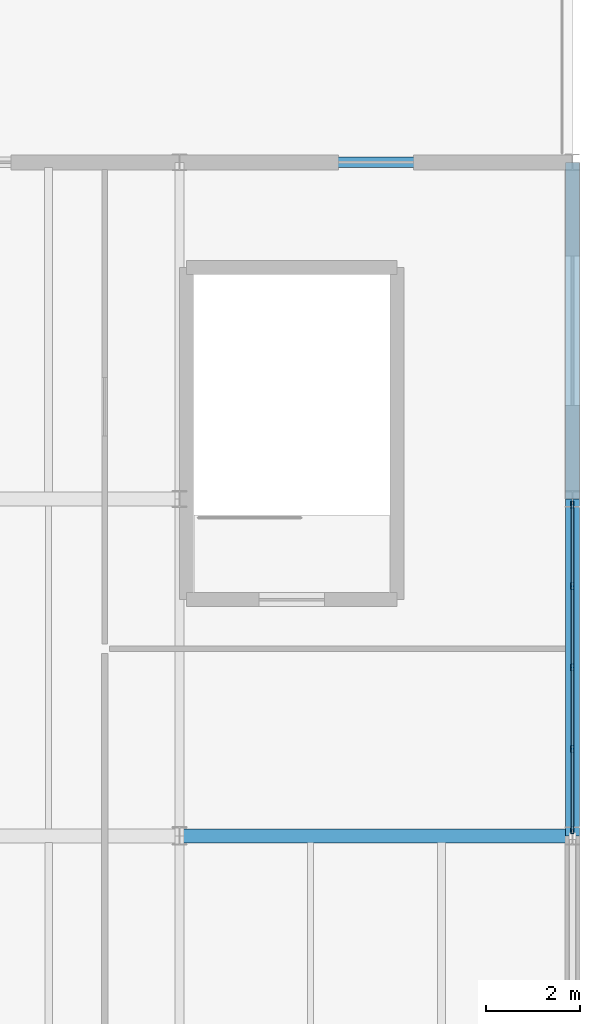
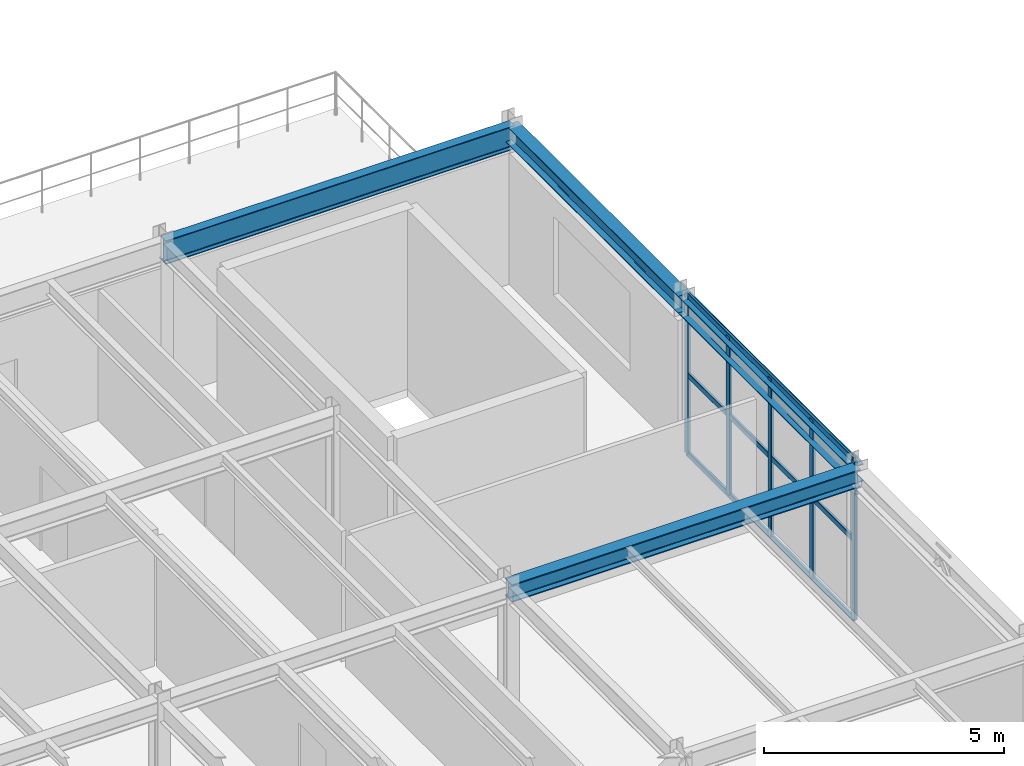
# One storey, part 91 of 134: 8 members, 4 beams, 1 element without a shape of its own.
"""IFC4 building model written with IfcOpenShell, lengths in metres."""

from ifc_helpers import new_model, si_unit, derived_unit, direction, frame, origin, origin_2d, place, context, subcontext, project, spatial, hollow_rectangle, i_section, extrude, material, material_profile, profile_set, type_object, element, aggregate, save


model = new_model("IFC4")

# Units and contexts
model_context = context("Model", 3, precision=1e-05, world=origin(), true_north=direction((0.0, 1.0)))
body_context = subcontext(model_context, "Body", "Model", "MODEL_VIEW")
ifc_project = project(units=[si_unit("LENGTHUNIT", "METRE"), si_unit("AREAUNIT", "SQUARE_METRE"), si_unit("VOLUMEUNIT", "CUBIC_METRE"), si_unit("PLANEANGLEUNIT", "RADIAN"), si_unit("MASSUNIT", "GRAM", prefix="KILO"), derived_unit("THERMALTRANSMITTANCEUNIT", [(si_unit("MASSUNIT", "GRAM", prefix="KILO"), 1), (si_unit("TIMEUNIT", "SECOND"), -3), (si_unit("THERMODYNAMICTEMPERATUREUNIT", "KELVIN"), -1)])], contexts=[model_context])

# Site, building, storey
site_placement = place(None, origin())
site = spatial("IfcSite", under=ifc_project, at=site_placement, CompositionType="ELEMENT")
building_placement = place(site_placement, origin())
building = spatial("IfcBuilding", under=site, at=building_placement, Name="Kharveza Railside Sports Centre", CompositionType="ELEMENT")
storey_placement = place(building_placement, frame((0.0, 0.0, 12.89990234375)))
storey = spatial("IfcBuildingStorey", under=building, at=storey_placement, Name="L03", CompositionType="ELEMENT", Elevation=12.89990234375)

# Beams
ifc_material_1 = material(Name="Steel S355J2", Category="steel")
ifc_material_profile_1 = material_profile(ifc_material_1, i_section(OverallWidth=0.219970703125, OverallDepth=0.60009765625, WebThickness=0.011962890625, FlangeThickness=0.01904296875, FilletRadius=0.02392578125, at=origin_2d()), Name="IPE 600")
ifc_profile_set_1 = profile_set([ifc_material_profile_1], Name="Steel S355J2")
beam_type_1 = type_object("IfcBeamType", Name="BM-G01", PredefinedType="T_BEAM", material=ifc_profile_set_1)
beam_1_placement = place(storey_placement, frame((159.60009765625, 86.39990234375, 3.66015625), z_axis=(1.0, 0.0, 0.0), x_axis=(0.0, 1.0, 0.0)))
element("IfcBeam", 1, at=beam_1_placement, inside=storey, type_object=beam_type_1, Name="BM-EW-L03-B01-X1596-Y864", PredefinedType="T_BEAM", context=body_context, shape_type="SweptSolid", body=[
    extrude(i_section(OverallWidth=0.219970703125, OverallDepth=0.60009765625, WebThickness=0.011962890625, FlangeThickness=0.01904296875, FilletRadius=0.02392578125, at=origin_2d()), origin(), (0.0, 0.0, 1.0), 8.39990234375),
])
ifc_material_profile_2 = material_profile(ifc_material_1, i_section(OverallWidth=0.300048828125, OverallDepth=0.449951171875, WebThickness=0.013916015625, FlangeThickness=0.02587890625, FilletRadius=0.027099609375, at=origin_2d()), Name="HEB 450")
ifc_profile_set_2 = profile_set([ifc_material_profile_2], Name="Steel S355J2")
beam_type_2 = type_object("IfcBeamType", Name="BM-G06", PredefinedType="T_BEAM", material=ifc_profile_set_2)
beam_2_placement = place(storey_placement, frame((159.60009765625, 72.0, 3.735107421875), z_axis=(1.0, 0.0, 0.0), x_axis=(0.0, 1.0, 0.0)))
element("IfcBeam", 2, at=beam_2_placement, inside=storey, type_object=beam_type_2, Name="BM-EW-L03-B06-X1596-Y720", PredefinedType="T_BEAM", context=body_context, shape_type="SweptSolid", body=[
    extrude(i_section(OverallWidth=0.300048828125, OverallDepth=0.449951171875, WebThickness=0.013916015625, FlangeThickness=0.02587890625, FilletRadius=0.027099609375, at=origin_2d()), origin(), (0.0, 0.0, 1.0), 8.39990234375),
])
ifc_material_profile_3 = material_profile(ifc_material_1, i_section(OverallWidth=0.300048828125, OverallDepth=0.43994140625, WebThickness=0.011474609375, FlangeThickness=0.02099609375, FilletRadius=0.027099609375, at=origin_2d()), Name="HEA 450")
ifc_profile_set_3 = profile_set([ifc_material_profile_3], Name="Steel S355J2")
beam_type_3 = type_object("IfcBeamType", Name="BM-SP01", PredefinedType="SPANDREL", material=ifc_profile_set_3)
for number, where, z_axis, x_axis, name in (
    (3, (168.0, 72.0, 3.739990234375), (0.0, 1.0, 0.0), (-1.0, 0.0, 0.0), "BM-NS-L03-B15-X1680-Y720"),
    (4, (168.0, 79.199951171875, 3.739990234375), (0.0, 1.0, 0.0), (-1.0, 0.0, 0.0), "BM-NS-L03-B15-X1680-Y792"),
):
    element("IfcBeam", number, at=place(storey_placement, frame(where, z_axis=z_axis, x_axis=x_axis)), inside=storey, type_object=beam_type_3, Name=name, PredefinedType="SPANDREL", context=body_context, shape_type="SweptSolid", body=[
        extrude(i_section(OverallWidth=0.300048828125, OverallDepth=0.43994140625, WebThickness=0.011474609375, FlangeThickness=0.02099609375, FilletRadius=0.027099609375, at=origin_2d()), origin(), (0.0, 0.0, 1.0), 7.199951171875),
    ])

# Curtain wall, members
ifc_material_2 = material(Name="Low-E solar-control laminated glass", Category="glass")
curtain_wall_type = type_object("IfcCurtainWallType", Name="CW-WG02", PredefinedType="NOTDEFINED", material=ifc_material_2)
curtain_wall_placement = place(storey_placement, origin())
curtain_wall = element("IfcCurtainWall", 5, at=curtain_wall_placement, inside=storey, type_object=curtain_wall_type, Name="CW-WG-L03-CW-WG02-X1680-Y756", PredefinedType="NOTDEFINED")
ifc_material_3 = material(Name="Anodised aluminium 6063-T6", Category="aluminium")
ifc_material_profile_4 = material_profile(ifc_material_3, hollow_rectangle(XDim=0.06494140625, YDim=0.14990234375, WallThickness=0.0048828125, InnerFilletRadius=0.0048828125, OuterFilletRadius=0.010009765625, at=origin_2d()), Name="RHS 65x150x5.0")
ifc_profile_set_4 = profile_set([ifc_material_profile_4], Name="Anodised aluminium 6063-T6")
member_type_1 = type_object("IfcMemberType", Name="CW-ML04", PredefinedType="MULLION", material=ifc_profile_set_4)
member_1_placement = place(storey_placement, frame((168.0, 72.1201171875, 0.0), z_axis=(0.0, 0.0, 1.0), x_axis=(1.0, 0.0, 0.0)))
member_1 = element("IfcMember", 6, at=member_1_placement, type_object=member_type_1, Name="CW-WG-L03-CW-WG02-X1680-Y756-ML1", PredefinedType="MULLION", context=body_context, shape_type="SweptSolid", body=[
    extrude(hollow_rectangle(XDim=0.06494140625, YDim=0.14990234375, WallThickness=0.0048828125, InnerFilletRadius=0.0048828125, OuterFilletRadius=0.010009765625, at=origin_2d()), origin(), (0.0, 0.0, 1.0), 4.03515625),
])
member_2_placement = place(storey_placement, frame((168.0, 73.860107421875, 0.0), z_axis=(0.0, 0.0, 1.0), x_axis=(1.0, 0.0, 0.0)))
member_2 = element("IfcMember", 7, at=member_2_placement, type_object=member_type_1, Name="CW-WG-L03-CW-WG02-X1680-Y756-ML2", PredefinedType="MULLION", context=body_context, shape_type="SweptSolid", body=[
    extrude(hollow_rectangle(XDim=0.06494140625, YDim=0.14990234375, WallThickness=0.0048828125, InnerFilletRadius=0.0048828125, OuterFilletRadius=0.010009765625, at=origin_2d()), origin(), (0.0, 0.0, 1.0), 4.03515625),
])
member_3_placement = place(storey_placement, frame((168.0, 75.60009765625, 0.0), z_axis=(0.0, 0.0, 1.0), x_axis=(1.0, 0.0, 0.0)))
member_3 = element("IfcMember", 8, at=member_3_placement, type_object=member_type_1, Name="CW-WG-L03-CW-WG02-X1680-Y756-ML3", PredefinedType="MULLION", context=body_context, shape_type="SweptSolid", body=[
    extrude(hollow_rectangle(XDim=0.06494140625, YDim=0.14990234375, WallThickness=0.0048828125, InnerFilletRadius=0.0048828125, OuterFilletRadius=0.010009765625, at=origin_2d()), origin(), (0.0, 0.0, 1.0), 4.03515625),
])
member_4_placement = place(storey_placement, frame((168.0, 77.340087890625, 0.0), z_axis=(0.0, 0.0, 1.0), x_axis=(1.0, 0.0, 0.0)))
member_4 = element("IfcMember", 9, at=member_4_placement, type_object=member_type_1, Name="CW-WG-L03-CW-WG02-X1680-Y756-ML4", PredefinedType="MULLION", context=body_context, shape_type="SweptSolid", body=[
    extrude(hollow_rectangle(XDim=0.06494140625, YDim=0.14990234375, WallThickness=0.0048828125, InnerFilletRadius=0.0048828125, OuterFilletRadius=0.010009765625, at=origin_2d()), origin(), (0.0, 0.0, 1.0), 4.03515625),
])
member_5_placement = place(storey_placement, frame((168.0, 79.080078125, 0.0), z_axis=(0.0, 0.0, 1.0), x_axis=(1.0, 0.0, 0.0)))
member_5 = element("IfcMember", 10, at=member_5_placement, type_object=member_type_1, Name="CW-WG-L03-CW-WG02-X1680-Y756-ML5", PredefinedType="MULLION", context=body_context, shape_type="SweptSolid", body=[
    extrude(hollow_rectangle(XDim=0.06494140625, YDim=0.14990234375, WallThickness=0.0048828125, InnerFilletRadius=0.0048828125, OuterFilletRadius=0.010009765625, at=origin_2d()), origin(), (0.0, 0.0, 1.0), 4.03515625),
])
ifc_material_profile_5 = material_profile(ifc_material_3, hollow_rectangle(XDim=0.06005859375, YDim=0.139892578125, WallThickness=0.0048828125, InnerFilletRadius=0.0048828125, OuterFilletRadius=0.010009765625, at=origin_2d()), Name="RHS 60x140x5.0")
ifc_profile_set_5 = profile_set([ifc_material_profile_5], Name="Anodised aluminium 6063-T6")
member_type_2 = type_object("IfcMemberType", Name="CW-TR04", PredefinedType="USERDEFINED", material=ifc_profile_set_5)
member_6_placement = place(storey_placement, frame((168.0, 72.1201171875, 0.0), z_axis=(0.0, 1.0, 0.0), x_axis=(-1.0, 0.0, 0.0)))
member_6 = element("IfcMember", 11, at=member_6_placement, type_object=member_type_2, Name="CW-WG-L03-CW-WG02-X1680-Y756-TR1", ObjectType="TRANSOM", PredefinedType="USERDEFINED", context=body_context, shape_type="SweptSolid", body=[
    extrude(hollow_rectangle(XDim=0.06005859375, YDim=0.139892578125, WallThickness=0.0048828125, InnerFilletRadius=0.0048828125, OuterFilletRadius=0.010009765625, at=origin_2d()), origin(), (0.0, 0.0, 1.0), 6.9599609375),
])
member_7_placement = place(storey_placement, frame((168.0, 72.1201171875, 2.017578125), z_axis=(0.0, 1.0, 0.0), x_axis=(-1.0, 0.0, 0.0)))
member_7 = element("IfcMember", 12, at=member_7_placement, type_object=member_type_2, Name="CW-WG-L03-CW-WG02-X1680-Y756-TR2", ObjectType="TRANSOM", PredefinedType="USERDEFINED", context=body_context, shape_type="SweptSolid", body=[
    extrude(hollow_rectangle(XDim=0.06005859375, YDim=0.139892578125, WallThickness=0.0048828125, InnerFilletRadius=0.0048828125, OuterFilletRadius=0.010009765625, at=origin_2d()), origin(), (0.0, 0.0, 1.0), 6.9599609375),
])
member_8_placement = place(storey_placement, frame((168.0, 72.1201171875, 4.03515625), z_axis=(0.0, 1.0, 0.0), x_axis=(-1.0, 0.0, 0.0)))
member_8 = element("IfcMember", 13, at=member_8_placement, type_object=member_type_2, Name="CW-WG-L03-CW-WG02-X1680-Y756-TR3", ObjectType="TRANSOM", PredefinedType="USERDEFINED", context=body_context, shape_type="SweptSolid", body=[
    extrude(hollow_rectangle(XDim=0.06005859375, YDim=0.139892578125, WallThickness=0.0048828125, InnerFilletRadius=0.0048828125, OuterFilletRadius=0.010009765625, at=origin_2d()), origin(), (0.0, 0.0, 1.0), 6.9599609375),
])
aggregate(curtain_wall, [member_1, member_2, member_3, member_4, member_5, member_6, member_7, member_8])

save(model, "model.ifc")
